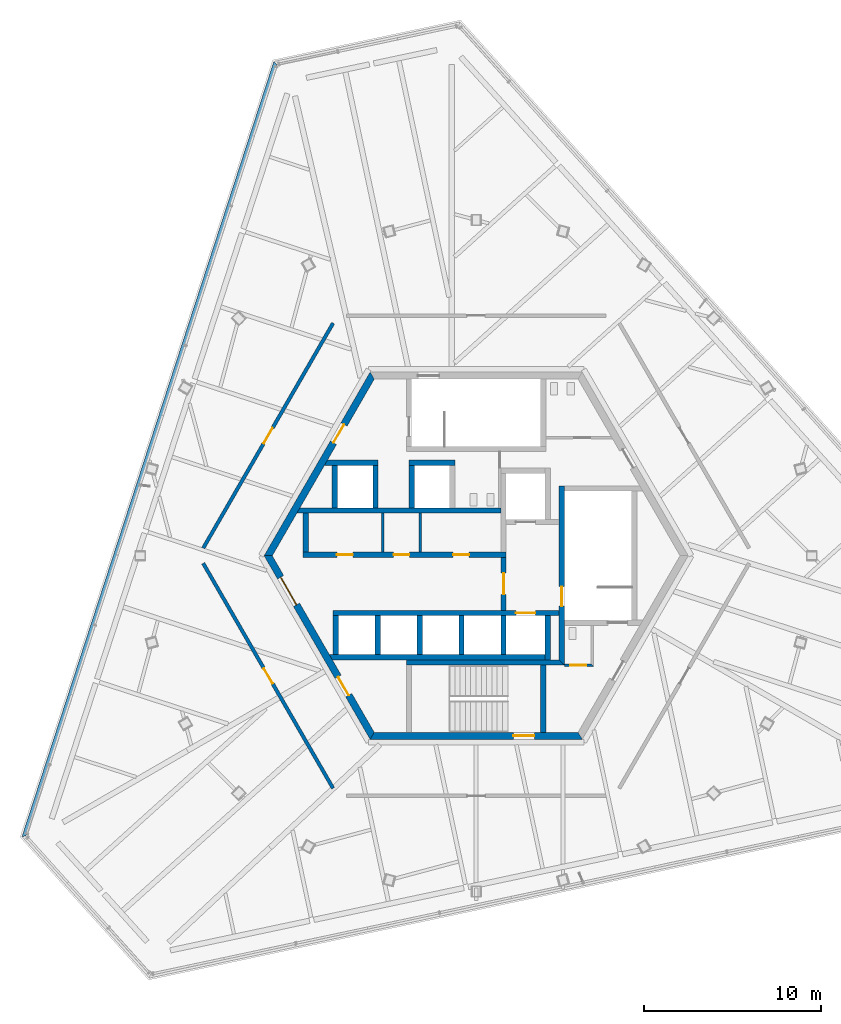
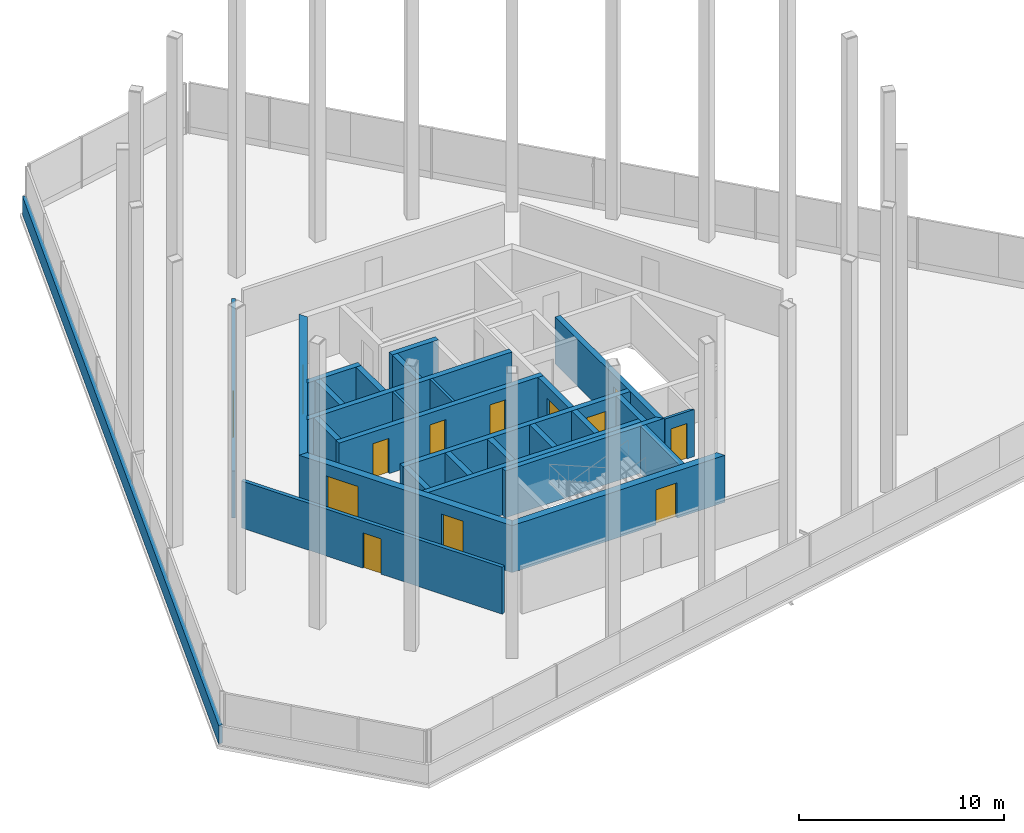
# One storey, part 7 of 11: 29 walls, 13 doors, 13 openings.
"""IFC4 building model written with IfcOpenShell, lengths in metres."""

from ifc_helpers import new_model, si_unit, direction, frame, frame_2d, origin, place, context, subcontext, project, spatial, polyline, rectangle, outline, extrude, source, transform, mapped, material, layer, layer_set, type_object, element, fill, save


model = new_model("IFC4")

# Units and contexts
model_context = context("Model", 3, precision=1e-05, world=origin(), true_north=direction((0.0, 1.0)))
body_context = subcontext(model_context, "Body", "Model", "MODEL_VIEW")
ifc_project = project(units=[si_unit("LENGTHUNIT", "METRE"), si_unit("AREAUNIT", "SQUARE_METRE"), si_unit("VOLUMEUNIT", "CUBIC_METRE"), si_unit("PLANEANGLEUNIT", "RADIAN"), si_unit("MASSUNIT", "GRAM", prefix="KILO")], contexts=[model_context])

# Site, building, storey
site_placement = place(None, origin())
site = spatial("IfcSite", under=ifc_project, at=site_placement, CompositionType="ELEMENT")
building_placement = place(site_placement, origin())
building = spatial("IfcBuilding", under=site, at=building_placement, Name="Triune Harvest Tower", CompositionType="ELEMENT")
storey_placement = place(building_placement, frame((0.0, 0.0, 296.699951171875)))
storey = spatial("IfcBuildingStorey", under=building, at=storey_placement, Name="L78", CompositionType="ELEMENT", Elevation=296.699951171875)

# Wall, opening, door
ifc_material_1 = material(Name="Concrete masonry unit", Category="masonry")
ifc_layer_1 = layer(ifc_material_1, 0.14990234375)
ifc_layer_set_1 = layer_set([ifc_layer_1], Name="Concrete masonry unit")
wall_type_1 = type_object("IfcWallType", Name="Block partition 150 unrated", PredefinedType="PARTITIONING", material=ifc_layer_set_1)
wall_1_placement = place(storey_placement, frame((5.0, -6.18994140625, 0.0), z_axis=(0.0, 0.0, 1.0), x_axis=(1.0, 0.0, 0.0)))
wall_1 = element("IfcWall", 1, at=wall_1_placement, inside=storey, type_object=wall_type_1, Name="Wc acc south wall", PredefinedType="PARTITIONING", context=body_context, shape_type="SweptSolid", body=[
    extrude(outline(polyline([(0.0, -0.074951171875), (1.64990234375, -0.074951171875), (1.5, 0.074951171875), (0.0, 0.074951171875), (0.0, -0.074951171875)])), origin(), (0.0, 0.0, 1.0), 2.800048828125),
])
opening_1_placement = place(wall_1_placement, frame((0.33740234375, 0.0, 0.0)))
opening_1 = element("IfcOpeningElement", 2, at=opening_1_placement, cuts=wall_1, Name="Opening CD-WA", PredefinedType="OPENING", context=body_context, shape_type="SweptSolid", body=[
    extrude(rectangle(XDim=0.89990234375, YDim=2.10009765625, at=frame_2d((0.449951171875, 1.050048828125))), frame((0.0, 0.0849609375, 0.0), z_axis=(0.0, -1.0, 0.0), x_axis=(1.0, 0.0, 0.0)), (0.0, 0.0, 1.0), 0.169921875),
])
ifc_material_2 = material(Name="Timber C24", Category="wood")
door_type_1 = type_object("IfcDoorType", Name="WC door 900", OperationType="SINGLE_SWING_LEFT", PredefinedType="DOOR", material=ifc_material_2)
door_1_placement = place(opening_1_placement, origin())
door_1 = element("IfcDoor", 3, at=door_1_placement, inside=storey, type_object=door_type_1, Name="Door CD-WA", OperationType="SINGLE_SWING_LEFT", OverallHeight=2.10009765625, OverallWidth=0.89990234375, PredefinedType="DOOR", context=body_context, shape_type="SweptSolid", body=[
    extrude(rectangle(XDim=0.89990234375, YDim=2.10009765625, at=frame_2d((0.449951171875, 1.050048828125))), frame((0.0, 0.02490234375, 0.0), z_axis=(0.0, -1.0, 0.0), x_axis=(1.0, 0.0, 0.0)), (0.0, 0.0, 1.0), 0.050048828125),
])
fill(opening_1, door_1)

# Wall, openings, doors
ifc_material_3 = material(Name="Concrete 70 MPa", Category="concrete")
ifc_layer_2 = layer(ifc_material_3, 0.300048828125)
ifc_layer_set_2 = layer_set([ifc_layer_2], Name="Concrete 70 MPa")
wall_type_2 = type_object("IfcWallType", Name="Core wall 300", PredefinedType="SHEAR", material=ifc_layer_set_2)
wall_2_placement = place(storey_placement, frame((-9.800048828125, 0.06005859375, 0.0), z_axis=(0.0, 0.0, 1.0), x_axis=(1.0, 0.0, 0.0)))
wall_2 = element("IfcWall", 4, at=wall_2_placement, inside=storey, type_object=wall_type_2, Name="North front wall", PredefinedType="SHEAR", context=body_context, shape_type="SweptSolid", body=[
    extrude(rectangle(XDim=11.5, YDim=0.300048828125, at=frame_2d((5.75, 0.0))), origin(), (0.0, 0.0, 1.0), 2.800048828125),
])
opening_2_placement = place(wall_2_placement, frame((1.922607421875, 0.0, 0.0)))
opening_2 = element("IfcOpeningElement", 5, at=opening_2_placement, cuts=wall_2, Name="Opening CD-RN1", PredefinedType="OPENING", context=body_context, shape_type="SweptSolid", body=[
    extrude(rectangle(XDim=0.89990234375, YDim=2.10009765625, at=frame_2d((0.449951171875, 1.050048828125))), frame((0.0, 0.16015625, 0.0), z_axis=(0.0, -1.0, 0.0), x_axis=(1.0, 0.0, 0.0)), (0.0, 0.0, 1.0), 0.320068359375),
])
opening_3_placement = place(wall_2_placement, frame((5.125, 0.0, 0.0)))
opening_3 = element("IfcOpeningElement", 6, at=opening_3_placement, cuts=wall_2, Name="Opening CD-RN2", PredefinedType="OPENING", context=body_context, shape_type="SweptSolid", body=[
    extrude(rectangle(XDim=0.89990234375, YDim=2.10009765625, at=frame_2d((0.449951171875, 1.050048828125))), frame((0.0, 0.16015625, 0.0), z_axis=(0.0, -1.0, 0.0), x_axis=(1.0, 0.0, 0.0)), (0.0, 0.0, 1.0), 0.320068359375),
])
opening_4_placement = place(wall_2_placement, frame((8.50244140625, 0.0, 0.0)))
opening_4 = element("IfcOpeningElement", 7, at=opening_4_placement, cuts=wall_2, Name="Opening CD-RN3", PredefinedType="OPENING", context=body_context, shape_type="SweptSolid", body=[
    extrude(rectangle(XDim=0.89990234375, YDim=2.10009765625, at=frame_2d((0.449951171875, 1.050048828125))), frame((0.0, 0.16015625, 0.0), z_axis=(0.0, -1.0, 0.0), x_axis=(1.0, 0.0, 0.0)), (0.0, 0.0, 1.0), 0.320068359375),
])
ifc_material_4 = material(Name="Steel S235", Category="steel")
door_type_2 = type_object("IfcDoorType", Name="Riser door 900 FD120", OperationType="SINGLE_SWING_LEFT", PredefinedType="DOOR", material=ifc_material_4)
door_2_placement = place(opening_2_placement, frame((0.89990234375, 0.0, 0.0), z_axis=(0.0, 0.0, 1.0), x_axis=(-1.0, 0.0, 0.0)))
door_2 = element("IfcDoor", 8, at=door_2_placement, inside=storey, type_object=door_type_2, Name="Door CD-RN1", OperationType="SINGLE_SWING_RIGHT", OverallHeight=2.10009765625, OverallWidth=0.89990234375, PredefinedType="DOOR", context=body_context, shape_type="SweptSolid", body=[
    extrude(rectangle(XDim=0.89990234375, YDim=2.10009765625, at=frame_2d((0.449951171875, 1.050048828125))), frame((0.0, 0.02490234375, 0.0), z_axis=(0.0, -1.0, 0.0), x_axis=(1.0, 0.0, 0.0)), (0.0, 0.0, 1.0), 0.050048828125),
])
fill(opening_2, door_2)
door_3_placement = place(opening_3_placement, frame((0.89990234375, 0.0, 0.0), z_axis=(0.0, 0.0, 1.0), x_axis=(-1.0, 0.0, 0.0)))
door_3 = element("IfcDoor", 9, at=door_3_placement, inside=storey, type_object=door_type_2, Name="Door CD-RN2", OperationType="SINGLE_SWING_RIGHT", OverallHeight=2.10009765625, OverallWidth=0.89990234375, PredefinedType="DOOR", context=body_context, shape_type="SweptSolid", body=[
    extrude(rectangle(XDim=0.89990234375, YDim=2.10009765625, at=frame_2d((0.449951171875, 1.050048828125))), frame((0.0, 0.02490234375, 0.0), z_axis=(0.0, -1.0, 0.0), x_axis=(1.0, 0.0, 0.0)), (0.0, 0.0, 1.0), 0.050048828125),
])
fill(opening_3, door_3)
door_4_placement = place(opening_4_placement, frame((0.89990234375, 0.0, 0.0), z_axis=(0.0, 0.0, 1.0), x_axis=(-1.0, 0.0, 0.0)))
door_4 = element("IfcDoor", 10, at=door_4_placement, inside=storey, type_object=door_type_2, Name="Door CD-RN3", OperationType="SINGLE_SWING_RIGHT", OverallHeight=2.10009765625, OverallWidth=0.89990234375, PredefinedType="DOOR", context=body_context, shape_type="SweptSolid", body=[
    extrude(rectangle(XDim=0.89990234375, YDim=2.10009765625, at=frame_2d((0.449951171875, 1.050048828125))), frame((0.0, 0.02490234375, 0.0), z_axis=(0.0, -1.0, 0.0), x_axis=(1.0, 0.0, 0.0)), (0.0, 0.0, 1.0), 0.050048828125),
])
fill(opening_4, door_4)

# Wall
wall_3_placement = place(storey_placement, frame((-9.800048828125, 2.56005859375, 0.0), z_axis=(0.0, 0.0, 1.0), x_axis=(1.0, 0.0, 0.0)))
element("IfcWall", 11, at=wall_3_placement, inside=storey, type_object=wall_type_2, Name="North back wall", PredefinedType="SHEAR", context=body_context, shape_type="SweptSolid", body=[
    extrude(outline(polyline([(11.199951171875, -0.14990234375), (-0.34912109375, -0.14990234375), (-0.17578125, 0.14990234375), (11.199951171875, 0.14990234375), (11.199951171875, -0.14990234375)])), origin(), (0.0, 0.0, 1.0), 2.800048828125),
])

# Wall, opening, door
wall_4_placement = place(storey_placement, frame((-8.10009765625, -3.239990234375, 0.0), z_axis=(0.0, 0.0, 1.0), x_axis=(1.0, 0.0, 0.0)))
wall_4 = element("IfcWall", 12, at=wall_4_placement, inside=storey, type_object=wall_type_2, Name="South front wall", PredefinedType="SHEAR", context=body_context, shape_type="SweptSolid", body=[
    extrude(rectangle(XDim=12.800048828125, YDim=0.300048828125, at=frame_2d((6.39990234375, 0.0))), origin(), (0.0, 0.0, 1.0), 2.800048828125),
])
opening_5_placement = place(wall_4_placement, frame((10.35009765625, 0.0, 0.0)))
opening_5 = element("IfcOpeningElement", 13, at=opening_5_placement, cuts=wall_4, Name="Opening LD-FF2-78", PredefinedType="OPENING", context=body_context, shape_type="SweptSolid", body=[
    extrude(rectangle(XDim=1.10009765625, YDim=2.10009765625, at=frame_2d((0.550048828125, 1.050048828125))), frame((0.0, 0.16015625, 0.0), z_axis=(0.0, -1.0, 0.0), x_axis=(1.0, 0.0, 0.0)), (0.0, 0.0, 1.0), 0.320068359375),
])
ifc_material_5 = material(Name="Stainless steel AISI 304", Category="steel")
door_type_3 = type_object("IfcDoorType", Name="Landing door 1100 x 2100", OperationType="DOUBLE_DOOR_SLIDING", PredefinedType="DOOR", material=ifc_material_5)
door_5_placement = place(opening_5_placement, origin())
door_5 = element("IfcDoor", 14, at=door_5_placement, inside=storey, type_object=door_type_3, Name="Door LD-FF2-78", OperationType="DOUBLE_DOOR_SLIDING", OverallHeight=2.10009765625, OverallWidth=1.10009765625, PredefinedType="DOOR", context=body_context, shape_type="SweptSolid", body=[
    extrude(rectangle(XDim=1.10009765625, YDim=2.10009765625, at=frame_2d((0.550048828125, 1.050048828125))), frame((0.0, 0.02490234375, 0.0), z_axis=(0.0, -1.0, 0.0), x_axis=(1.0, 0.0, 0.0)), (0.0, 0.0, 1.0), 0.050048828125),
])
fill(opening_5, door_5)

# Walls
wall_5_placement = place(storey_placement, frame((-8.10009765625, -5.739990234375, 0.0), z_axis=(0.0, 0.0, 1.0), x_axis=(1.0, 0.0, 0.0)))
element("IfcWall", 15, at=wall_5_placement, inside=storey, type_object=wall_type_2, Name="South back wall", PredefinedType="SHEAR", context=body_context, shape_type="SweptSolid", body=[
    extrude(outline(polyline([(12.0, -0.14990234375), (-0.039794921875, -0.14990234375), (-0.212890625, 0.14990234375), (12.0, 0.14990234375), (12.0, -0.14990234375)])), origin(), (0.0, 0.0, 1.0), 2.800048828125),
])
wall_6_placement = place(storey_placement, frame((-9.64990234375, 0.2099609375, 0.0), z_axis=(0.0, 0.0, 1.0), x_axis=(0.0, 1.0, 0.0)))
element("IfcWall", 16, at=wall_6_placement, inside=storey, type_object=wall_type_2, Name="North end west wall", PredefinedType="SHEAR", context=body_context, shape_type="SweptSolid", body=[
    extrude(rectangle(XDim=2.199951171875, YDim=0.300048828125, at=frame_2d((1.10009765625, 0.0))), origin(), (0.0, 0.0, 1.0), 2.800048828125),
])

# Wall, opening, door
wall_7_placement = place(storey_placement, frame((4.85009765625, -6.0400390625, 0.0), z_axis=(0.0, 0.0, 1.0), x_axis=(0.0, 1.0, 0.0)))
wall_7 = element("IfcWall", 17, at=wall_7_placement, inside=storey, type_object=wall_type_2, Name="Stair e west wall", PredefinedType="SHEAR", context=body_context, shape_type="SweptSolid", body=[
    extrude(outline(polyline([(-0.14990234375, -0.14990234375), (9.989990234375, -0.14990234375), (9.989990234375, 0.14990234375), (0.14990234375, 0.14990234375), (-0.14990234375, -0.14990234375)])), origin(), (0.0, 0.0, 1.0), 2.800048828125),
])
opening_6_placement = place(wall_7_placement, frame((3.18994140625, 0.0, 0.0)))
opening_6 = element("IfcOpeningElement", 18, at=opening_6_placement, cuts=wall_7, Name="Opening CD-S3L", PredefinedType="OPENING", context=body_context, shape_type="SweptSolid", body=[
    extrude(rectangle(XDim=1.10009765625, YDim=2.10009765625, at=frame_2d((0.550048828125, 1.050048828125))), frame((0.0, 0.16015625, 0.0), z_axis=(0.0, -1.0, 0.0), x_axis=(1.0, 0.0, 0.0)), (0.0, 0.0, 1.0), 0.320068359375),
])
ifc_material_6 = material(Name="Steel S235", Category="steel")
door_type_4 = type_object("IfcDoorType", Name="Stair door 1100 FD120", OperationType="SINGLE_SWING_LEFT", PredefinedType="DOOR", material=ifc_material_6)
door_6_placement = place(opening_6_placement, frame((1.10009765625, 0.0, 0.0), z_axis=(0.0, 0.0, 1.0), x_axis=(-1.0, 0.0, 0.0)))
door_6 = element("IfcDoor", 19, at=door_6_placement, inside=storey, type_object=door_type_4, Name="Door CD-S3L", OperationType="SINGLE_SWING_RIGHT", OverallHeight=2.10009765625, OverallWidth=1.10009765625, PredefinedType="DOOR", context=body_context, shape_type="SweptSolid", body=[
    extrude(rectangle(XDim=1.10009765625, YDim=2.10009765625, at=frame_2d((0.550048828125, 1.050048828125))), frame((0.0, 0.02490234375, 0.0), z_axis=(0.0, -1.0, 0.0), x_axis=(1.0, 0.0, 0.0)), (0.0, 0.0, 1.0), 0.050048828125),
])
fill(opening_6, door_6)

# Walls
wall_8_placement = place(storey_placement, frame((-3.949951171875, -6.0400390625, 0.0), z_axis=(0.0, 0.0, 1.0), x_axis=(1.0, 0.0, 0.0)))
element("IfcWall", 20, at=wall_8_placement, inside=storey, type_object=wall_type_2, Name="Stair s north wall", PredefinedType="SHEAR", context=body_context, shape_type="SweptSolid", body=[
    extrude(outline(polyline([(0.0, -0.14990234375), (8.949951171875, -0.14990234375), (8.64990234375, 0.14990234375), (0.0, 0.14990234375), (0.0, -0.14990234375)])), origin(), (0.0, 0.0, 1.0), 2.800048828125),
])
wall_9_placement = place(storey_placement, frame((-8.14990234375, 5.260009765625, 0.0), z_axis=(0.0, 0.0, 1.0), x_axis=(1.0, 0.0, 0.0)))
element("IfcWall", 21, at=wall_9_placement, inside=storey, type_object=wall_type_2, Name="Sv1 north wall", PredefinedType="SHEAR", context=body_context, shape_type="SweptSolid", body=[
    extrude(outline(polyline([(2.60009765625, -0.14990234375), (-0.440185546875, -0.14990234375), (-0.26708984375, 0.14990234375), (2.60009765625, 0.14990234375), (2.60009765625, -0.14990234375)])), origin(), (0.0, 0.0, 1.0), 2.800048828125),
])
wall_10_placement = place(storey_placement, frame((-3.800048828125, 5.260009765625, 0.0), z_axis=(0.0, 0.0, 1.0), x_axis=(1.0, 0.0, 0.0)))
element("IfcWall", 22, at=wall_10_placement, inside=storey, type_object=wall_type_2, Name="Sv2 north wall", PredefinedType="SHEAR", context=body_context, shape_type="SweptSolid", body=[
    extrude(rectangle(XDim=2.60009765625, YDim=0.300048828125, at=frame_2d((1.300048828125, 0.0))), origin(), (0.0, 0.0, 1.0), 2.800048828125),
])
ifc_material_7 = material(Name="Concrete 40 MPa", Category="concrete")
ifc_layer_3 = layer(ifc_material_7, 0.199951171875)
ifc_layer_set_3 = layer_set([ifc_layer_3], Name="Concrete 40 MPa")
wall_type_3 = type_object("IfcWallType", Name="PA-1 parapet 200", PredefinedType="PARAPET", material=ifc_layer_set_3)
wall_11_placement = place(storey_placement, origin())
element("IfcWall", 23, at=wall_11_placement, inside=storey, type_object=wall_type_3, Name="Parapet outer 3", PredefinedType="PARAPET", context=body_context, shape_type="SweptSolid", body=[
    extrude(outline(polyline([(-11.447509765625, 27.968505859375), (-25.70068359375, -15.8984375), (-25.474853515625, -15.8505859375), (-11.29296875, 27.797119140625), (-11.447509765625, 27.968505859375)])), origin(), (0.0, 0.0, 1.0), 1.10009765625),
])

# Wall, opening, door
ifc_material_8 = material(Name="Concrete 70 MPa", Category="concrete")
ifc_layer_4 = layer(ifc_material_8, 0.39990234375)
ifc_layer_set_4 = layer_set([ifc_layer_4], Name="Concrete 70 MPa")
wall_type_4 = type_object("IfcWallType", Name="Core wall 400", PredefinedType="SHEAR", material=ifc_layer_set_4)
shared_shape_1 = source(origin(), body_context, "Body", "SweptSolid", [
    extrude(outline(polyline([(-0.115478515625, -0.199951171875), (11.884521484375, -0.199951171875), (11.653564453125, 0.199951171875), (0.115478515625, 0.199951171875), (-0.115478515625, -0.199951171875)])), origin(), (0.0, 0.0, 1.0), 2.800048828125),
])
wall_12_placement = place(storey_placement, frame((-5.884521484375, 10.1923828125, 0.0), z_axis=(0.0, 0.0, 1.0), x_axis=(-0.499996592174, -0.866027371285, 0.0)))
wall_12 = element("IfcWall", 24, at=wall_12_placement, inside=storey, type_object=wall_type_4, Name="Hexagon 2 wall", PredefinedType="SHEAR", context=body_context, shape_type="MappedRepresentation", body=[
    mapped(shared_shape_1, transform((0.0, 0.0, 0.0), scale=1.0)),
])
opening_7_placement = place(wall_12_placement, frame((3.1845703125, 0.0, 0.0)))
opening_7 = element("IfcOpeningElement", 25, at=opening_7_placement, cuts=wall_12, Name="Opening CD-SVP", PredefinedType="OPENING", context=body_context, shape_type="SweptSolid", body=[
    extrude(rectangle(XDim=1.199951171875, YDim=2.10009765625, at=frame_2d((0.60009765625, 1.050048828125))), frame((0.0, 0.2099609375, 0.0), z_axis=(0.0, -1.0, 0.0), x_axis=(1.0, 0.0, 0.0)), (0.0, 0.0, 1.0), 0.419921875),
])
ifc_material_9 = material(Name="Steel S235", Category="steel")
door_type_5 = type_object("IfcDoorType", Name="Service door 1200 FD120", OperationType="SINGLE_SWING_LEFT", PredefinedType="DOOR", material=ifc_material_9)
door_7_placement = place(opening_7_placement, frame((1.199951171875, 0.0, 0.0), z_axis=(0.0, 0.0, 1.0), x_axis=(-1.0, 0.0, 0.0)))
door_7 = element("IfcDoor", 26, at=door_7_placement, inside=storey, type_object=door_type_5, Name="Door CD-SVP", OperationType="SINGLE_SWING_RIGHT", OverallHeight=2.10009765625, OverallWidth=1.199951171875, PredefinedType="DOOR", context=body_context, shape_type="SweptSolid", body=[
    extrude(rectangle(XDim=1.199951171875, YDim=2.10009765625, at=frame_2d((0.60009765625, 1.050048828125))), frame((0.0, 0.02490234375, 0.0), z_axis=(0.0, -1.0, 0.0), x_axis=(1.0, 0.0, 0.0)), (0.0, 0.0, 1.0), 0.050048828125),
])
fill(opening_7, door_7)

# Wall, openings, doors
wall_13_placement = place(storey_placement, frame((-11.76904296875, 0.0, 0.0), z_axis=(0.0, 0.0, 1.0), x_axis=(0.499996592174, -0.866027371285, 0.0)))
wall_13 = element("IfcWall", 27, at=wall_13_placement, inside=storey, type_object=wall_type_4, Name="Hexagon 3 wall", PredefinedType="SHEAR", context=body_context, shape_type="MappedRepresentation", body=[
    mapped(shared_shape_1, transform((0.0, 0.0, 0.0), scale=1.0)),
])
opening_8_placement = place(wall_13_placement, frame((1.404541015625, 0.0, 0.0)))
opening_8 = element("IfcOpeningElement", 28, at=opening_8_placement, cuts=wall_13, Name="Opening CD-LS", PredefinedType="OPENING", context=body_context, shape_type="SweptSolid", body=[
    extrude(rectangle(XDim=1.800048828125, YDim=2.10009765625, at=frame_2d((0.89990234375, 1.050048828125))), frame((0.0, 0.2099609375, 0.0), z_axis=(0.0, -1.0, 0.0), x_axis=(1.0, 0.0, 0.0)), (0.0, 0.0, 1.0), 0.419921875),
])
opening_9_placement = place(wall_13_placement, frame((7.91455078125, 0.0, 0.0)))
opening_9 = element("IfcOpeningElement", 29, at=opening_9_placement, cuts=wall_13, Name="Opening CD-SWP", PredefinedType="OPENING", context=body_context, shape_type="SweptSolid", body=[
    extrude(rectangle(XDim=1.199951171875, YDim=2.10009765625, at=frame_2d((0.60009765625, 1.050048828125))), frame((0.0, 0.2099609375, 0.0), z_axis=(0.0, -1.0, 0.0), x_axis=(1.0, 0.0, 0.0)), (0.0, 0.0, 1.0), 0.419921875),
])
ifc_material_10 = material(Name="Steel S235", Category="steel")
door_type_6 = type_object("IfcDoorType", Name="Lobby door 1800 FD120", OperationType="DOUBLE_DOOR_DOUBLE_SWING", PredefinedType="DOOR", material=ifc_material_10)
door_8_placement = place(opening_8_placement, frame((1.800048828125, 0.0, 0.0), z_axis=(0.0, 0.0, 1.0), x_axis=(-1.0, 0.0, 0.0)))
door_8 = element("IfcDoor", 30, at=door_8_placement, inside=storey, type_object=door_type_6, Name="Door CD-LS", OperationType="DOUBLE_DOOR_DOUBLE_SWING", OverallHeight=2.10009765625, OverallWidth=1.800048828125, PredefinedType="DOOR", context=body_context, shape_type="SweptSolid", body=[
    extrude(rectangle(XDim=1.800048828125, YDim=2.10009765625, at=frame_2d((0.89990234375, 1.050048828125))), frame((0.0, 0.02490234375, 0.0), z_axis=(0.0, -1.0, 0.0), x_axis=(1.0, 0.0, 0.0)), (0.0, 0.0, 1.0), 0.050048828125),
])
fill(opening_8, door_8)
door_9_placement = place(opening_9_placement, frame((1.199951171875, 0.0, 0.0), z_axis=(0.0, 0.0, 1.0), x_axis=(-1.0, 0.0, 0.0)))
door_9 = element("IfcDoor", 31, at=door_9_placement, inside=storey, type_object=door_type_5, Name="Door CD-SWP", OperationType="SINGLE_SWING_RIGHT", OverallHeight=2.10009765625, OverallWidth=1.199951171875, PredefinedType="DOOR", context=body_context, shape_type="SweptSolid", body=[
    extrude(rectangle(XDim=1.199951171875, YDim=2.10009765625, at=frame_2d((0.60009765625, 1.050048828125))), frame((0.0, 0.02490234375, 0.0), z_axis=(0.0, -1.0, 0.0), x_axis=(1.0, 0.0, 0.0)), (0.0, 0.0, 1.0), 0.050048828125),
])
fill(opening_9, door_9)

# Wall, opening, door
wall_14_placement = place(storey_placement, frame((-5.884521484375, -10.1923828125, 0.0), z_axis=(0.0, 0.0, 1.0), x_axis=(1.0, 0.0, 0.0)))
wall_14 = element("IfcWall", 32, at=wall_14_placement, inside=storey, type_object=wall_type_4, Name="Hexagon 4 wall", PredefinedType="SHEAR", context=body_context, shape_type="MappedRepresentation", body=[
    mapped(shared_shape_1, transform((0.0, 0.0, 0.0), scale=1.0)),
])
opening_10_placement = place(wall_14_placement, frame((7.984619140625, 0.0, 0.0)))
opening_10 = element("IfcOpeningElement", 33, at=opening_10_placement, cuts=wall_14, Name="Opening CD-S2P", PredefinedType="OPENING", context=body_context, shape_type="SweptSolid", body=[
    extrude(rectangle(XDim=1.199951171875, YDim=2.10009765625, at=frame_2d((0.60009765625, 1.050048828125))), frame((0.0, 0.2099609375, 0.0), z_axis=(0.0, -1.0, 0.0), x_axis=(1.0, 0.0, 0.0)), (0.0, 0.0, 1.0), 0.419921875),
])
ifc_material_11 = material(Name="Steel S235", Category="steel")
door_type_7 = type_object("IfcDoorType", Name="Stair door 1200 FD120", OperationType="SINGLE_SWING_LEFT", PredefinedType="DOOR", material=ifc_material_11)
door_10_placement = place(opening_10_placement, frame((1.199951171875, 0.0, 0.0), z_axis=(0.0, 0.0, 1.0), x_axis=(-1.0, 0.0, 0.0)))
door_10 = element("IfcDoor", 34, at=door_10_placement, inside=storey, type_object=door_type_7, Name="Door CD-S2P", OperationType="SINGLE_SWING_RIGHT", OverallHeight=2.10009765625, OverallWidth=1.199951171875, PredefinedType="DOOR", context=body_context, shape_type="SweptSolid", body=[
    extrude(rectangle(XDim=1.199951171875, YDim=2.10009765625, at=frame_2d((0.60009765625, 1.050048828125))), frame((0.0, 0.02490234375, 0.0), z_axis=(0.0, -1.0, 0.0), x_axis=(1.0, 0.0, 0.0)), (0.0, 0.0, 1.0), 0.050048828125),
])
fill(opening_10, door_10)

# Wall
shared_shape_2 = source(origin(), body_context, "Body", "SweptSolid", [
    extrude(rectangle(XDim=2.5, YDim=0.300048828125, at=frame_2d((1.25, 0.0))), origin(), (0.0, 0.0, 1.0), 2.800048828125),
])
wall_15_placement = place(storey_placement, frame((4.050048828125, -5.889892578125, 0.0), z_axis=(0.0, 0.0, 1.0), x_axis=(0.0, 1.0, 0.0)))
element("IfcWall", 35, at=wall_15_placement, inside=storey, type_object=wall_type_2, Name="Ff2 east wall", PredefinedType="SHEAR", context=body_context, shape_type="MappedRepresentation", body=[
    mapped(shared_shape_2, transform((0.0, 0.0, 0.0), scale=1.0)),
])

# Wall, opening, door
shared_shape_3 = source(origin(), body_context, "Body", "SweptSolid", [
    extrude(rectangle(XDim=3.0, YDim=0.300048828125, at=frame_2d((1.5, 0.0))), origin(), (0.0, 0.0, 1.0), 2.800048828125),
])
wall_16_placement = place(storey_placement, frame((1.550048828125, -3.090087890625, 0.0), z_axis=(0.0, 0.0, 1.0), x_axis=(0.0, 1.0, 0.0)))
wall_16 = element("IfcWall", 36, at=wall_16_placement, inside=storey, type_object=wall_type_2, Name="Ff lobby west wall", PredefinedType="SHEAR", context=body_context, shape_type="MappedRepresentation", body=[
    mapped(shared_shape_3, transform((0.0, 0.0, 0.0), scale=1.0)),
])
opening_11_placement = place(wall_16_placement, frame((0.89990234375, 0.0, 0.0)))
opening_11 = element("IfcOpeningElement", 37, at=opening_11_placement, cuts=wall_16, Name="Opening CD-FL", PredefinedType="OPENING", context=body_context, shape_type="SweptSolid", body=[
    extrude(rectangle(XDim=1.199951171875, YDim=2.10009765625, at=frame_2d((0.60009765625, 1.050048828125))), frame((0.0, 0.16015625, 0.0), z_axis=(0.0, -1.0, 0.0), x_axis=(1.0, 0.0, 0.0)), (0.0, 0.0, 1.0), 0.320068359375),
])
ifc_material_12 = material(Name="Steel S235", Category="steel")
door_type_8 = type_object("IfcDoorType", Name="Firefighters' lobby door 1200 FD120", OperationType="SINGLE_SWING_LEFT", PredefinedType="DOOR", material=ifc_material_12)
door_11_placement = place(opening_11_placement, frame((1.199951171875, 0.0, 0.0), z_axis=(0.0, 0.0, 1.0), x_axis=(-1.0, 0.0, 0.0)))
door_11 = element("IfcDoor", 38, at=door_11_placement, inside=storey, type_object=door_type_8, Name="Door CD-FL", OperationType="SINGLE_SWING_RIGHT", OverallHeight=2.10009765625, OverallWidth=1.199951171875, PredefinedType="DOOR", context=body_context, shape_type="SweptSolid", body=[
    extrude(rectangle(XDim=1.199951171875, YDim=2.10009765625, at=frame_2d((0.60009765625, 1.050048828125))), frame((0.0, 0.02490234375, 0.0), z_axis=(0.0, -1.0, 0.0), x_axis=(1.0, 0.0, 0.0)), (0.0, 0.0, 1.0), 0.050048828125),
])
fill(opening_11, door_11)

# Walls
shared_shape_4 = source(origin(), body_context, "Body", "SweptSolid", [
    extrude(rectangle(XDim=2.2001953125, YDim=0.300048828125, at=frame_2d((1.10009765625, 0.0))), origin(), (0.0, 0.0, 1.0), 2.800048828125),
])
for number, where, z_axis, x_axis, name in (
    (39, (-7.949951171875, -5.590087890625, 0.0), (0.0, 0.0, 1.0), (0.0, 1.0, 0.0), "South end west wall"),
    (40, (1.550048828125, -5.590087890625, 0.0), (0.0, 0.0, 1.0), (0.0, 1.0, 0.0), "Ff2 west wall"),
    (41, (-5.574951171875, -5.590087890625, 0.0), (0.0, 0.0, 1.0), (0.0, 1.0, 0.0), "South cross 1 wall"),
    (42, (-3.199951171875, -5.590087890625, 0.0), (0.0, 0.0, 1.0), (0.0, 1.0, 0.0), "South cross 2 wall"),
    (43, (-0.824951171875, -5.590087890625, 0.0), (0.0, 0.0, 1.0), (0.0, 1.0, 0.0), "South cross 3 wall"),
):
    element("IfcWall", number, at=place(storey_placement, frame(where, z_axis=z_axis, x_axis=x_axis)), inside=storey, type_object=wall_type_2, Name=name, PredefinedType="SHEAR", context=body_context, shape_type="MappedRepresentation", body=[
        mapped(shared_shape_4, transform((0.0, 0.0, 0.0), scale=1.0)),
    ])
shared_shape_5 = source(origin(), body_context, "Body", "SweptSolid", [
    extrude(outline(polyline([(3.800048828125, -0.14990234375), (-0.00439453125, -0.14990234375), (-0.00439453125, 0.14990234375), (3.800048828125, 0.14990234375), (3.800048828125, -0.14990234375)])), origin(), (0.0, 0.0, 1.0), 2.800048828125),
])
wall_17_placement = place(storey_placement, frame((3.800048828125, -9.989990234375, 0.0), z_axis=(0.0, 0.0, 1.0), x_axis=(0.0, 1.0, 0.0)))
element("IfcWall", 44, at=wall_17_placement, inside=storey, type_object=wall_type_2, Name="Stair s east wall", PredefinedType="SHEAR", context=body_context, shape_type="MappedRepresentation", body=[
    mapped(shared_shape_5, transform((0.0, 0.0, 0.0), scale=1.0)),
])
shared_shape_6 = source(origin(), body_context, "Body", "SweptSolid", [
    extrude(rectangle(XDim=2.400146484375, YDim=0.300048828125, at=frame_2d((1.2001953125, 0.0))), origin(), (0.0, 0.0, 1.0), 2.800048828125),
])
for number, where, z_axis, x_axis, name in (
    (45, (-8.0, 2.7099609375, 0.0), (0.0, 0.0, 1.0), (0.0, 1.0, 0.0), "Sv1 west wall"),
    (46, (-5.699951171875, 2.7099609375, 0.0), (0.0, 0.0, 1.0), (0.0, 1.0, 0.0), "Sv1 east wall"),
    (47, (-3.64990234375, 2.7099609375, 0.0), (0.0, 0.0, 1.0), (0.0, 1.0, 0.0), "Sv2 west wall"),
):
    element("IfcWall", number, at=place(storey_placement, frame(where, z_axis=z_axis, x_axis=x_axis)), inside=storey, type_object=wall_type_2, Name=name, PredefinedType="SHEAR", context=body_context, shape_type="MappedRepresentation", body=[
        mapped(shared_shape_6, transform((0.0, 0.0, 0.0), scale=1.0)),
    ])
ifc_material_13 = material(Name="Concrete masonry unit", Category="masonry")
ifc_layer_5 = layer(ifc_material_13, 0.14990234375)
ifc_layer_set_5 = layer_set([ifc_layer_5], Name="Concrete masonry unit")
wall_type_5 = type_object("IfcWallType", Name="Block partition 150", PredefinedType="PARTITIONING", material=ifc_layer_set_5)
shared_shape_7 = source(origin(), body_context, "Body", "SweptSolid", [
    extrude(rectangle(XDim=2.199951171875, YDim=0.14990234375, at=frame_2d((1.10009765625, 0.0))), origin(), (0.0, 0.0, 1.0), 2.800048828125),
])
for number, where, z_axis, x_axis, name in (
    (48, (-5.280029296875, 0.2099609375, 0.0), (0.0, 0.0, 1.0), (0.0, 1.0, 0.0), "Row n part 1 wall"),
    (49, (-3.169921875, 0.2099609375, 0.0), (0.0, 0.0, 1.0), (0.0, 1.0, 0.0), "Row n part 2 wall"),
):
    element("IfcWall", number, at=place(storey_placement, frame(where, z_axis=z_axis, x_axis=x_axis)), inside=storey, type_object=wall_type_5, Name=name, PredefinedType="PARTITIONING", context=body_context, shape_type="MappedRepresentation", body=[
        mapped(shared_shape_7, transform((0.0, 0.0, 0.0), scale=1.0)),
    ])

# Wall, opening, door
ifc_material_14 = material(Name="Gypsum board on steel studs", Category="steel")
ifc_layer_6 = layer(ifc_material_14, 0.199951171875)
ifc_layer_set_6 = layer_set([ifc_layer_6], Name="Gypsum board on steel studs")
wall_type_6 = type_object("IfcWallType", Name="Fire Wall 200 mm", PredefinedType="PARTITIONING", material=ifc_layer_set_6)
shared_shape_8 = source(origin(), body_context, "Body", "SweptSolid", [
    extrude(rectangle(XDim=14.700439453125, YDim=0.199951171875, at=frame_2d((7.35009765625, 0.0))), origin(), (0.0, 0.0, 1.0), 2.800048828125),
])
wall_18_placement = place(storey_placement, frame((-15.4462890625, -0.4306640625, 0.0), z_axis=(0.0, 0.0, 1.0), x_axis=(0.499993683172, -0.866029050776, 0.0)))
wall_18 = element("IfcWall", 50, at=wall_18_placement, inside=storey, type_object=wall_type_6, Name="Partition L78 001", PredefinedType="PARTITIONING", context=body_context, shape_type="MappedRepresentation", body=[
    mapped(shared_shape_8, transform((0.0, 0.0, 0.0), scale=1.0)),
])
opening_12_placement = place(wall_18_placement, frame((6.85791015625, 0.0, 0.0)))
opening_12 = element("IfcOpeningElement", 51, at=opening_12_placement, cuts=wall_18, Name="Opening L78-004", PredefinedType="OPENING", context=body_context, shape_type="SweptSolid", body=[
    extrude(rectangle(XDim=1.0, YDim=2.10009765625, at=frame_2d((0.5, 1.050048828125))), frame((0.0, 0.10986328125, 0.0), z_axis=(0.0, -1.0, 0.0), x_axis=(1.0, 0.0, 0.0)), (0.0, 0.0, 1.0), 0.219970703125),
])
ifc_material_15 = material(Name="Timber and steel door set", Category="steel")
door_type_9 = type_object("IfcDoorType", Name="Wide single leaf door FD60 left hand 1000 x 2100", OperationType="SINGLE_SWING_LEFT", PredefinedType="DOOR", material=ifc_material_15)
door_12_placement = place(opening_12_placement, origin())
door_12 = element("IfcDoor", 52, at=door_12_placement, inside=storey, type_object=door_type_9, Name="Door L78-004 Switchgear Room 78.04", OperationType="SINGLE_SWING_LEFT", OverallHeight=2.10009765625, OverallWidth=1.0, PredefinedType="DOOR", context=body_context, shape_type="SweptSolid", body=[
    extrude(rectangle(XDim=1.0, YDim=2.10009765625, at=frame_2d((0.5, 1.050048828125))), frame((0.0, 0.02490234375, 0.0), z_axis=(0.0, -1.0, 0.0), x_axis=(1.0, 0.0, 0.0)), (0.0, 0.0, 1.0), 0.050048828125),
])
fill(opening_12, door_12)

wall_19_placement = place(storey_placement, frame((-15.4462890625, 0.4306640625, 0.0), z_axis=(0.0, 0.0, 1.0), x_axis=(0.499993683172, 0.866029050776, 0.0)))
wall_19 = element("IfcWall", 53, at=wall_19_placement, inside=storey, type_object=wall_type_6, Name="Partition L78 006", PredefinedType="PARTITIONING", context=body_context, shape_type="MappedRepresentation", body=[
    mapped(shared_shape_8, transform((0.0, 0.0, 0.0), scale=1.0)),
])
opening_13_placement = place(wall_19_placement, frame((6.84228515625, 0.0, 0.0)))
opening_13 = element("IfcOpeningElement", 54, at=opening_13_placement, cuts=wall_19, Name="Opening L78-003", PredefinedType="OPENING", context=body_context, shape_type="SweptSolid", body=[
    extrude(rectangle(XDim=1.0, YDim=2.10009765625, at=frame_2d((0.5, 1.050048828125))), frame((0.0, 0.10986328125, 0.0), z_axis=(0.0, -1.0, 0.0), x_axis=(1.0, 0.0, 0.0)), (0.0, 0.0, 1.0), 0.219970703125),
])
door_13_placement = place(opening_13_placement, origin())
door_13 = element("IfcDoor", 55, at=door_13_placement, inside=storey, type_object=door_type_9, Name="Door L78-003 Chiller Plant Room 78.03", OperationType="SINGLE_SWING_LEFT", OverallHeight=2.10009765625, OverallWidth=1.0, PredefinedType="DOOR", context=body_context, shape_type="SweptSolid", body=[
    extrude(rectangle(XDim=1.0, YDim=2.10009765625, at=frame_2d((0.5, 1.050048828125))), frame((0.0, 0.02490234375, 0.0), z_axis=(0.0, -1.0, 0.0), x_axis=(1.0, 0.0, 0.0)), (0.0, 0.0, 1.0), 0.050048828125),
])
fill(opening_13, door_13)

save(model, "model.ifc")
